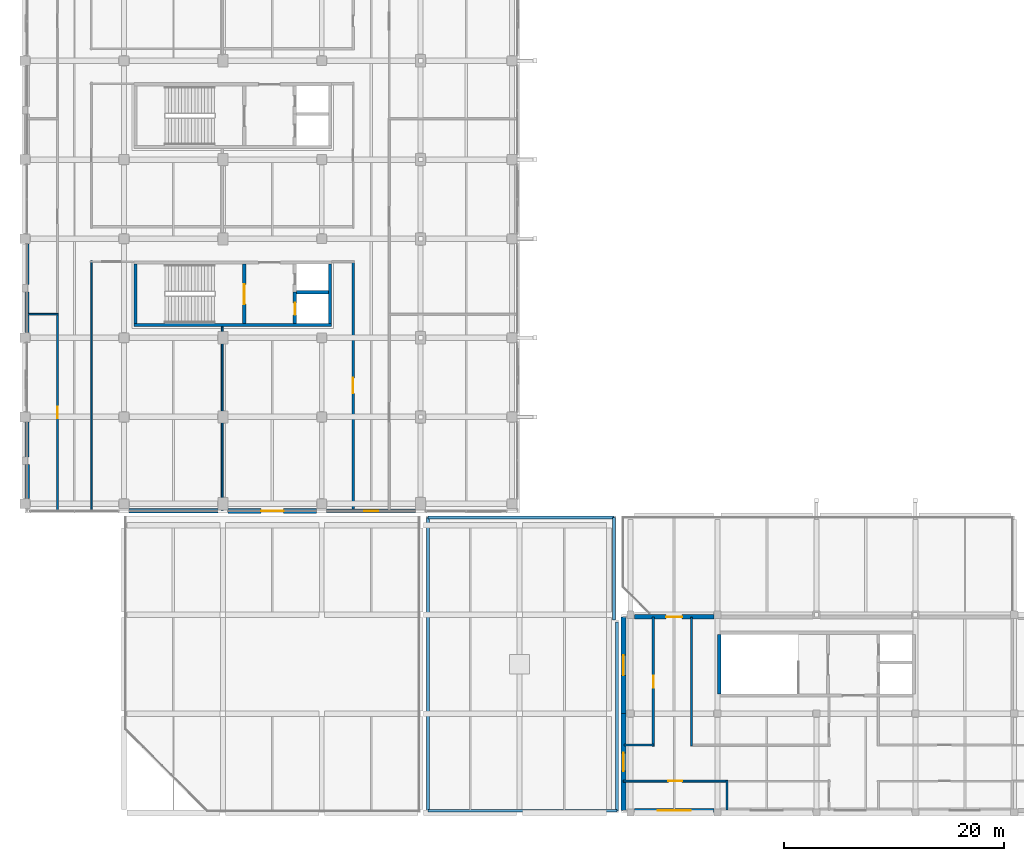
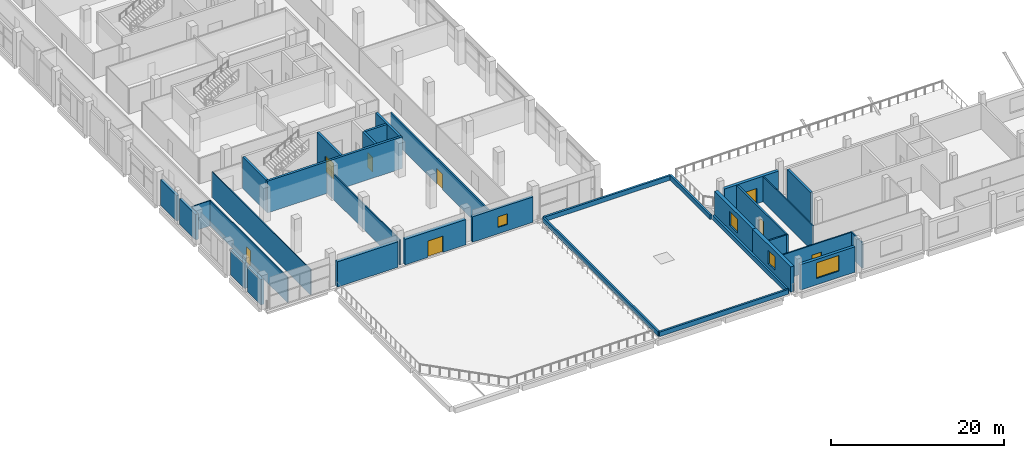
# One storey, part 46 of 82: 33 walls, 8 doors, 4 windows, 12 openings.
"""IFC4 building model written with IfcOpenShell, lengths in metres."""

import ifcopenshell
import ifcopenshell.guid

model = None  # the IFC model being written
_history = None  # IfcOwnerHistory: only IFC2X3 demands one
_inside = {}  # id of a spatial element -> (the spatial element, [elements in it])
_under = {}  # id of a project, library or spatial element -> (it, [spatial elements below it])
_declared = {}  # id of a project -> (the project, [libraries it declares])
_typed = {}  # id of a type object -> (the type object, [elements of that type])
_made_of = {}  # id of a material, layer set ... -> (it, [elements and type objects made of it])


def new_model(schema):
    """Start an empty IFC model of exactly this schema.

    Asked for "IFC4X3", IfcOpenShell would pick the latest addendum, in which some entities
    have other attributes; the version numbers below select the first issue.
    IFC2X3 requires an IfcOwnerHistory on every rooted entity: one is made here for all.
    """
    global model, _history
    if schema == "IFC4X3":
        model = ifcopenshell.file(schema_version=(4, 3, 0, 0))
    else:
        model = ifcopenshell.file(schema=schema)
    _inside.clear()
    _under.clear()
    _declared.clear()
    _typed.clear()
    _made_of.clear()
    _history = None
    if model.schema == "IFC2X3":
        org = make("IfcOrganization", Name="unknown")
        user = make(
            "IfcPersonAndOrganization",
            ThePerson=make("IfcPerson", FamilyName="unknown"),
            TheOrganization=org,
        )
        app = make(
            "IfcApplication",
            ApplicationDeveloper=org,
            Version="unknown",
            ApplicationFullName="unknown",
            ApplicationIdentifier="unknown",
        )
        _history = make(
            "IfcOwnerHistory",
            OwningUser=user,
            OwningApplication=app,
            ChangeAction="ADDED",
            CreationDate=0,
        )
    return model


def make(cls, **values):
    """One entity of the class cls with the attributes given. An attribute that is None is left unset."""
    return model.create_entity(
        cls, **{name: value for name, value in values.items() if value is not None}
    )


def rooted(cls, **values):
    """An entity with a GlobalId (a new one), such as an element, a storey or a relation."""
    return make(cls, GlobalId=ifcopenshell.guid.new(), OwnerHistory=_history, **values)


def si_unit(unit_type, name, prefix=None):
    """IfcSIUnit, for example si_unit("LENGTHUNIT", "METRE", prefix="MILLI")."""
    return make("IfcSIUnit", UnitType=unit_type, Prefix=prefix, Name=name)


def assignment(units):
    """IfcUnitAssignment: the units of a project."""
    return None if units is None else make("IfcUnitAssignment", Units=units)


def point(xyz):
    """IfcCartesianPoint."""
    return None if xyz is None else make("IfcCartesianPoint", Coordinates=xyz)


def direction(xyz):
    """IfcDirection."""
    return None if xyz is None else make("IfcDirection", DirectionRatios=xyz)


def frame(location, z_axis=None, x_axis=None):
    """IfcAxis2Placement3D, a coordinate frame: its origin and axes. An axis left out is left unset."""
    return make(
        "IfcAxis2Placement3D",
        Location=point(location),
        Axis=direction(z_axis),
        RefDirection=direction(x_axis),
    )


def frame_2d(location, x_axis=None):
    """IfcAxis2Placement2D, a coordinate frame in the plane: its origin and x axis."""
    return make(
        "IfcAxis2Placement2D", Location=point(location), RefDirection=direction(x_axis)
    )


def origin():
    """The frame at (0, 0, 0) with its axes left unset."""
    return frame((0.0, 0.0, 0.0))


def place(relative_to, where):
    """IfcLocalPlacement: puts the frame where relative to a parent placement (None: the world)."""
    return make(
        "IfcLocalPlacement", PlacementRelTo=relative_to, RelativePlacement=where
    )


def context(
    kind, dimensions, precision=None, world=None, true_north=None, identifier=None
):
    """IfcGeometricRepresentationContext, for example the 3D "Model" context."""
    return make(
        "IfcGeometricRepresentationContext",
        ContextIdentifier=identifier,
        ContextType=kind,
        CoordinateSpaceDimension=dimensions,
        Precision=precision,
        WorldCoordinateSystem=world,
        TrueNorth=true_north,
    )


def subcontext(parent, identifier, kind, view, scale=None):
    """IfcGeometricRepresentationSubContext, for example "Body" below "Model"."""
    return make(
        "IfcGeometricRepresentationSubContext",
        ContextIdentifier=identifier,
        ContextType=kind,
        ParentContext=parent,
        TargetScale=scale,
        TargetView=view,
    )


def project(units=None, contexts=None):
    """IfcProject with its units and contexts."""
    return rooted(
        "IfcProject",
        Name="project",
        RepresentationContexts=contexts,
        UnitsInContext=assignment(units),
    )


def spatial(cls, under=None, at=None, **own):
    """A site, building, storey or space (cls), placed at a placement, below another one or the project."""
    s = rooted(cls, ObjectPlacement=at, **own)
    if under is not None:
        _under.setdefault(under.id(), (under, []))[1].append(s)
    return s


def profile(cls, at=None, kind="AREA", **sizes):
    """A parametric profile (cls). Its sizes go by their IFC names, for example OverallWidth=200.0."""
    return make(cls, ProfileType=kind, Position=at, **sizes)


def rectangle(**sizes):
    """IfcRectangleProfileDef."""
    return profile("IfcRectangleProfileDef", **sizes)


def extrude(swept, where, along, depth):
    """IfcExtrudedAreaSolid: the profile swept, set in the frame where, extruded along a direction by depth."""
    return make(
        "IfcExtrudedAreaSolid",
        SweptArea=swept,
        Position=where,
        ExtrudedDirection=direction(along),
        Depth=depth,
    )


def shape(context_of_items, identifier, shape_type, items):
    """IfcShapeRepresentation: the items that make up one representation, for example the "Body"."""
    return make(
        "IfcShapeRepresentation",
        ContextOfItems=context_of_items,
        RepresentationIdentifier=identifier,
        RepresentationType=shape_type,
        Items=items,
    )


def material(Name=None, Category=None):
    """IfcMaterial."""
    return make("IfcMaterial", Name=Name, Category=Category)


def layer(
    of_material, thickness, ventilated=None, Name=None, Category=None, Priority=None
):
    """IfcMaterialLayer: one layer of a wall or slab, of a material (None: an air gap)."""
    return make(
        "IfcMaterialLayer",
        Material=of_material,
        LayerThickness=thickness,
        IsVentilated=ventilated,
        Name=Name,
        Category=Category,
        Priority=Priority,
    )


def layer_set(layers, Name=None):
    """IfcMaterialLayerSet."""
    return make("IfcMaterialLayerSet", MaterialLayers=layers, LayerSetName=Name)


def made_of(thing, what):
    """Note that an element or type object is made of a material, layer set ...; save() writes the relation."""
    if what is not None:
        _made_of.setdefault(what.id(), (what, []))[1].append(thing)
    return thing


def type_object(cls, material=None, **own):
    """A type object (cls), such as IfcWallType, which elements share."""
    return made_of(rooted(cls, **own), material)


def element(
    cls,
    number,
    at=None,
    inside=None,
    cuts=None,
    type_object=None,
    material=None,
    context=None,
    identifier="Body",
    shape_type=None,
    held_by="IfcProductDefinitionShape",
    body=None,
    shapes=None,
    **own,
):
    """One element of the class cls, such as IfcWall. Its Tag is "e" and its number.

    at: its placement. inside: the storey or other place that contains it. cuts: it is an
    opening in that element (IfcRelVoidsElement). A single representation is given by context,
    identifier, shape_type and body (its items); several are given by shapes. held_by: the class
    of the entity that holds the representations. save() writes the other relations.
    """
    e = rooted(cls, Tag="e%d" % number, ObjectPlacement=at, **own)
    if body is not None:
        shapes = [shape(context, identifier, shape_type, body)]
    if shapes is not None:
        e.Representation = make(held_by, Representations=shapes)
    if inside is not None:
        _inside.setdefault(inside.id(), (inside, []))[1].append(e)
    if cuts is not None:
        rooted(
            "IfcRelVoidsElement", RelatingBuildingElement=cuts, RelatedOpeningElement=e
        )
    if type_object is not None:
        _typed.setdefault(type_object.id(), (type_object, []))[1].append(e)
    return made_of(e, material)


def fill(opening, filler):
    """IfcRelFillsElement: the door or window that sits in an opening."""
    return rooted(
        "IfcRelFillsElement",
        RelatingOpeningElement=opening,
        RelatedBuildingElement=filler,
    )


def aggregate(whole, parts):
    """IfcRelAggregates: a whole, such as a stair, and the parts it consists of."""
    return rooted("IfcRelAggregates", RelatingObject=whole, RelatedObjects=parts)


def save(model, path):
    """Write the relations noted so far, then the file.

    IfcRelAggregates (storeys below a building ...), IfcRelContainedInSpatialStructure (elements
    in a storey), IfcRelDefinesByType, IfcRelAssociatesMaterial and IfcRelDeclares: one each for
    every whole, place, type object, material and project.
    """
    for whole, parts in _under.values():
        aggregate(whole, parts)
    for where, things in _inside.values():
        rooted(
            "IfcRelContainedInSpatialStructure",
            RelatedElements=things,
            RelatingStructure=where,
        )
    for kind, things in _typed.values():
        rooted("IfcRelDefinesByType", RelatedObjects=things, RelatingType=kind)
    for what, things in _made_of.values():
        rooted("IfcRelAssociatesMaterial", RelatedObjects=things, RelatingMaterial=what)
    for by, libraries in _declared.values():
        rooted("IfcRelDeclares", RelatingContext=by, RelatedDefinitions=libraries)
    model.write(path)


model = new_model("IFC4")

# Units and contexts
model_context = context("Model", 3, precision=1e-05, world=origin(), true_north=direction((0.0, 1.0)))
body_context = subcontext(model_context, "Body", "Model", "MODEL_VIEW")
ifc_project = project(units=[si_unit("LENGTHUNIT", "METRE"), si_unit("AREAUNIT", "SQUARE_METRE"), si_unit("VOLUMEUNIT", "CUBIC_METRE"), si_unit("PLANEANGLEUNIT", "RADIAN"), si_unit("MASSUNIT", "GRAM", prefix="KILO"), si_unit("THERMODYNAMICTEMPERATUREUNIT", "KELVIN"), si_unit("POWERUNIT", "WATT")], contexts=[model_context])

# Site, building, storey
site_placement = place(None, origin())
site = spatial("IfcSite", under=ifc_project, at=site_placement, CompositionType="ELEMENT")
building_placement = place(site_placement, origin())
building = spatial("IfcBuilding", under=site, at=building_placement, Name="Sindhuravela Promenade Stadium", CompositionType="ELEMENT")
storey_placement = place(building_placement, frame((0.0, 0.0, 14.39990234375)))
storey = spatial("IfcBuildingStorey", under=building, at=storey_placement, Name="L03", CompositionType="ELEMENT", Elevation=14.39990234375)

# Wall
ifc_material_1 = material(Name="Terracotta clay brick masonry (15 MPa)", Category="masonry")
ifc_layer_1 = layer(ifc_material_1, 0.340087890625)
ifc_layer_set_1 = layer_set([ifc_layer_1], Name="Terracotta clay brick masonry (15 MPa)")
wall_type_1 = type_object("IfcWallType", Name="EX-WL-BRK340", PredefinedType="SOLIDWALL", material=ifc_layer_set_1)
wall_1_placement = place(storey_placement, frame((0.199951171875, 57.054931640625, 0.0), z_axis=(0.0, 0.0, 1.0), x_axis=(0.0, 1.0, 0.0)))
element("IfcWall", 1, at=wall_1_placement, inside=storey, type_object=wall_type_1, Name="Exterior masonry wall EW06 WEST L03", PredefinedType="SOLIDWALL", context=body_context, shape_type="SweptSolid", body=[
    extrude(rectangle(XDim=3.690185546875, YDim=0.340087890625, at=frame_2d((1.84521484375, 0.0))), origin(), (0.0, 0.0, 1.0), 3.580078125),
])

# Wall, opening, window
wall_2_placement = place(storey_placement, frame((35.544921875, 36.449951171875, 0.0), z_axis=(0.0, 0.0, 1.0), x_axis=(-1.0, 0.0, 0.0)))
wall_2 = element("IfcWall", 2, at=wall_2_placement, inside=storey, type_object=wall_type_1, Name="Exterior masonry wall EW06 WEST L03", PredefinedType="SOLIDWALL", context=body_context, shape_type="SweptSolid", body=[
    extrude(rectangle(XDim=8.08984375, YDim=0.340087890625, at=frame_2d((4.044921875, 0.0))), origin(), (0.0, 0.0, 1.0), 3.580078125),
])
opening_1_placement = place(wall_2_placement, frame((3.39501953125, 0.0, 0.89990234375)))
opening_1 = element("IfcOpeningElement", 3, at=opening_1_placement, cuts=wall_2, Name="Opening W03", PredefinedType="OPENING", context=body_context, shape_type="SweptSolid", body=[
    extrude(rectangle(XDim=1.300048828125, YDim=1.5, at=frame_2d((0.64990234375, 0.75))), frame((0.0, 0.179931640625, 0.0), z_axis=(0.0, -1.0, 0.0), x_axis=(1.0, 0.0, 0.0)), (0.0, 0.0, 1.0), 0.360107421875),
])
ifc_material_2 = material(Name="Tempered laminated low-E glass", Category="glass")
window_type_1 = type_object("IfcWindowType", Name="WN-FAC-1300x1500", PartitioningType="SINGLE_PANEL", PredefinedType="WINDOW", material=ifc_material_2)
window_1_placement = place(opening_1_placement, origin())
window_1 = element("IfcWindow", 4, at=window_1_placement, inside=storey, type_object=window_type_1, Name="Window W03 WEST L03", OverallHeight=1.5, OverallWidth=1.300048828125, PartitioningType="SINGLE_PANEL", PredefinedType="WINDOW", context=body_context, shape_type="SweptSolid", body=[
    extrude(rectangle(XDim=1.300048828125, YDim=1.5, at=frame_2d((0.64990234375, 0.75))), frame((0.0, 0.030029296875, 0.0), z_axis=(0.0, -1.0, 0.0), x_axis=(1.0, 0.0, 0.0)), (0.0, 0.0, 1.0), 0.06005859375),
])
fill(opening_1, window_1)

# Walls
ifc_layer_2 = layer(ifc_material_1, 0.360107421875)
ifc_layer_set_2 = layer_set([ifc_layer_2], Name="Terracotta clay brick masonry (15 MPa)")
wall_type_2 = type_object("IfcWallType", Name="EX-WL-BRK360", PredefinedType="SOLIDWALL", material=ifc_layer_set_2)
wall_3_placement = place(storey_placement, frame((0.199951171875, 52.655029296875, 0.0), z_axis=(0.0, 0.0, 1.0), x_axis=(0.0, 1.0, 0.0)))
element("IfcWall", 5, at=wall_3_placement, inside=storey, type_object=wall_type_2, Name="Exterior masonry wall EW05 WEST L03", PredefinedType="SOLIDWALL", context=body_context, shape_type="SweptSolid", body=[
    extrude(rectangle(XDim=3.68994140625, YDim=0.360107421875, at=frame_2d((1.844970703125, 0.0))), origin(), (0.0, 0.0, 1.0), 3.580078125),
])
ifc_layer_3 = layer(ifc_material_1, 0.3798828125)
ifc_layer_set_3 = layer_set([ifc_layer_3], Name="Terracotta clay brick masonry (15 MPa)")
wall_type_3 = type_object("IfcWallType", Name="EX-WL-BRK380", PredefinedType="SOLIDWALL", material=ifc_layer_set_3)
wall_4_placement = place(storey_placement, frame((0.199951171875, 41.35498046875, 0.0), z_axis=(0.0, 0.0, 1.0), x_axis=(0.0, 1.0, 0.0)))
element("IfcWall", 6, at=wall_4_placement, inside=storey, type_object=wall_type_3, Name="Exterior masonry wall EW04 WEST L03", PredefinedType="SOLIDWALL", context=body_context, shape_type="SweptSolid", body=[
    extrude(rectangle(XDim=3.18994140625, YDim=0.3798828125, at=frame_2d((1.594970703125, 0.0))), origin(), (0.0, 0.0, 1.0), 3.580078125),
])

# Wall, opening, window
wall_5_placement = place(storey_placement, frame((62.669921875, 9.199951171875, 0.0), z_axis=(0.0, 0.0, 1.0), x_axis=(-1.0, 0.0, 0.0)))
wall_5 = element("IfcWall", 7, at=wall_5_placement, inside=storey, type_object=wall_type_3, Name="Exterior masonry wall EW04 SOUTH L03", PredefinedType="SOLIDWALL", context=body_context, shape_type="SweptSolid", body=[
    extrude(rectangle(XDim=7.239990234375, YDim=0.3798828125, at=frame_2d((3.6201171875, 0.0))), origin(), (0.0, 0.0, 1.0), 3.580078125),
])
opening_2_placement = place(wall_5_placement, frame((2.1201171875, 0.0, 0.89990234375)))
opening_2 = element("IfcOpeningElement", 8, at=opening_2_placement, cuts=wall_5, Name="Opening W20", PredefinedType="OPENING", context=body_context, shape_type="SweptSolid", body=[
    extrude(rectangle(XDim=3.0, YDim=2.199951171875, at=frame_2d((1.5, 1.10009765625))), frame((0.0, 0.199951171875, 0.0), z_axis=(0.0, -1.0, 0.0), x_axis=(1.0, 0.0, 0.0)), (0.0, 0.0, 1.0), 0.39990234375),
])
window_type_2 = type_object("IfcWindowType", Name="WN-FAC-3000x2200", PartitioningType="DOUBLE_PANEL_VERTICAL", PredefinedType="WINDOW", material=ifc_material_2)
window_2_placement = place(opening_2_placement, origin())
window_2 = element("IfcWindow", 9, at=window_2_placement, inside=storey, type_object=window_type_2, Name="Window W20 SOUTH L03", OverallHeight=2.199951171875, OverallWidth=3.0, PartitioningType="DOUBLE_PANEL_VERTICAL", PredefinedType="WINDOW", context=body_context, shape_type="SweptSolid", body=[
    extrude(rectangle(XDim=3.0, YDim=2.199951171875, at=frame_2d((1.5, 1.10009765625))), frame((0.0, 0.030029296875, 0.0), z_axis=(0.0, -1.0, 0.0), x_axis=(1.0, 0.0, 0.0)), (0.0, 0.0, 1.0), 0.06005859375),
])
fill(opening_2, window_2)

# Wall
ifc_layer_4 = layer(ifc_material_1, 0.39990234375)
ifc_layer_set_4 = layer_set([ifc_layer_4], Name="Terracotta clay brick masonry (15 MPa)")
wall_type_4 = type_object("IfcWallType", Name="EX-WL-BRK400", PredefinedType="SOLIDWALL", material=ifc_layer_set_4)
wall_6_placement = place(storey_placement, frame((0.199951171875, 37.554931640625, 0.0), z_axis=(0.0, 0.0, 1.0), x_axis=(0.0, 1.0, 0.0)))
element("IfcWall", 10, at=wall_6_placement, inside=storey, type_object=wall_type_4, Name="Exterior masonry wall EW03 WEST L03", PredefinedType="SOLIDWALL", context=body_context, shape_type="SweptSolid", body=[
    extrude(rectangle(XDim=3.090087890625, YDim=0.39990234375, at=frame_2d((1.544921875, 0.0))), origin(), (0.0, 0.0, 1.0), 3.580078125),
])

# Wall, opening, door
wall_7_placement = place(storey_placement, frame((55.429931640625, 26.800048828125, 0.0), z_axis=(0.0, 0.0, 1.0), x_axis=(1.0, 0.0, 0.0)))
wall_7 = element("IfcWall", 11, at=wall_7_placement, inside=storey, type_object=wall_type_4, Name="Exterior masonry wall EW03 SOUTH L03", PredefinedType="SOLIDWALL", context=body_context, shape_type="SweptSolid", body=[
    extrude(rectangle(XDim=7.239990234375, YDim=0.39990234375, at=frame_2d((3.6201171875, 0.0))), origin(), (0.0, 0.0, 1.0), 3.580078125),
])
opening_3_placement = place(wall_7_placement, frame((2.89501953125, 0.0, 0.0)))
opening_3 = element("IfcOpeningElement", 12, at=opening_3_placement, cuts=wall_7, Name="Opening TD04", PredefinedType="OPENING", context=body_context, shape_type="SweptSolid", body=[
    extrude(rectangle(XDim=1.449951171875, YDim=2.14990234375, at=frame_2d((0.72509765625, 1.074951171875))), frame((0.0, 0.2099609375, 0.0), z_axis=(0.0, -1.0, 0.0), x_axis=(1.0, 0.0, 0.0)), (0.0, 0.0, 1.0), 0.419921875),
])
ifc_material_3 = material(Name="Anodised architectural aluminium 6063-T6", Category="aluminium")
door_type_1 = type_object("IfcDoorType", Name="DR-TER-1450x2150", OperationType="DOUBLE_DOOR_SINGLE_SWING", PredefinedType="DOOR", material=ifc_material_3)
door_1_placement = place(opening_3_placement, origin())
door_1 = element("IfcDoor", 13, at=door_1_placement, inside=storey, type_object=door_type_1, Name="Terrace access door South Stand Planted Roof Garden", OperationType="DOUBLE_DOOR_SINGLE_SWING", OverallHeight=2.14990234375, OverallWidth=1.449951171875, PredefinedType="DOOR", context=body_context, shape_type="SweptSolid", body=[
    extrude(rectangle(XDim=1.449951171875, YDim=2.14990234375, at=frame_2d((0.72509765625, 1.074951171875))), frame((0.0, 0.02490234375, 0.0), z_axis=(0.0, -1.0, 0.0), x_axis=(1.0, 0.0, 0.0)), (0.0, 0.0, 1.0), 0.050048828125),
])
fill(opening_3, door_1)

# Wall
ifc_layer_5 = layer(ifc_material_1, 0.419921875)
ifc_layer_set_5 = layer_set([ifc_layer_5], Name="Terracotta clay brick masonry (15 MPa)")
wall_type_5 = type_object("IfcWallType", Name="EX-WL-BRK420", PredefinedType="SOLIDWALL", material=ifc_layer_set_5)
wall_8_placement = place(storey_placement, frame((17.544921875, 36.449951171875, 0.0), z_axis=(0.0, 0.0, 1.0), x_axis=(-1.0, 0.0, 0.0)))
element("IfcWall", 14, at=wall_8_placement, inside=storey, type_object=wall_type_5, Name="Exterior masonry wall EW02 WEST L03", PredefinedType="SOLIDWALL", context=body_context, shape_type="SweptSolid", body=[
    extrude(rectangle(XDim=8.08984375, YDim=0.419921875, at=frame_2d((4.044921875, 0.0))), origin(), (0.0, 0.0, 1.0), 3.580078125),
])

# Wall, opening, window
wall_9_placement = place(storey_placement, frame((54.449951171875, 18.0, 0.0), z_axis=(0.0, 0.0, 1.0), x_axis=(0.0, 1.0, 0.0)))
wall_9 = element("IfcWall", 15, at=wall_9_placement, inside=storey, type_object=wall_type_5, Name="Exterior masonry wall EW02 SOUTH L03", PredefinedType="SOLIDWALL", context=body_context, shape_type="SweptSolid", body=[
    extrude(rectangle(XDim=8.800048828125, YDim=0.419921875, at=frame_2d((4.39990234375, 0.0))), origin(), (0.0, 0.0, 1.0), 3.580078125),
])
opening_4_placement = place(wall_9_placement, frame((3.47509765625, 0.0, 0.89990234375)))
opening_4 = element("IfcOpeningElement", 16, at=opening_4_placement, cuts=wall_9, Name="Opening W28", PredefinedType="OPENING", context=body_context, shape_type="SweptSolid", body=[
    extrude(rectangle(XDim=1.85009765625, YDim=1.949951171875, at=frame_2d((0.925048828125, 0.97509765625))), frame((0.0, 0.219970703125, 0.0), z_axis=(0.0, -1.0, 0.0), x_axis=(1.0, 0.0, 0.0)), (0.0, 0.0, 1.0), 0.43994140625),
])
window_type_3 = type_object("IfcWindowType", Name="WN-FAC-1850x1950", PartitioningType="DOUBLE_PANEL_VERTICAL", PredefinedType="WINDOW", material=ifc_material_2)
window_3_placement = place(opening_4_placement, origin())
window_3 = element("IfcWindow", 17, at=window_3_placement, inside=storey, type_object=window_type_3, Name="Window W28 SOUTH L03", OverallHeight=1.949951171875, OverallWidth=1.85009765625, PartitioningType="DOUBLE_PANEL_VERTICAL", PredefinedType="WINDOW", context=body_context, shape_type="SweptSolid", body=[
    extrude(rectangle(XDim=1.85009765625, YDim=1.949951171875, at=frame_2d((0.925048828125, 0.97509765625))), frame((0.0, 0.030029296875, 0.0), z_axis=(0.0, -1.0, 0.0), x_axis=(1.0, 0.0, 0.0)), (0.0, 0.0, 1.0), 0.06005859375),
])
fill(opening_4, window_3)

# Wall, opening, door
ifc_layer_6 = layer(ifc_material_1, 0.4599609375)
ifc_layer_set_6 = layer_set([ifc_layer_6], Name="Terracotta clay brick masonry (15 MPa)")
wall_type_6 = type_object("IfcWallType", Name="EX-WL-BRK460", PredefinedType="SOLIDWALL", material=ifc_layer_set_6)
wall_10_placement = place(storey_placement, frame((26.544921875, 36.449951171875, 0.0), z_axis=(0.0, 0.0, 1.0), x_axis=(-1.0, 0.0, 0.0)))
wall_10 = element("IfcWall", 18, at=wall_10_placement, inside=storey, type_object=wall_type_6, Name="Exterior masonry wall EW01 WEST L03", PredefinedType="SOLIDWALL", context=body_context, shape_type="SweptSolid", body=[
    extrude(rectangle(XDim=8.08984375, YDim=0.4599609375, at=frame_2d((4.044921875, 0.0))), origin(), (0.0, 0.0, 1.0), 3.580078125),
])
opening_5_placement = place(wall_10_placement, frame((3.02001953125, 0.0, 0.0)))
opening_5 = element("IfcOpeningElement", 19, at=opening_5_placement, cuts=wall_10, Name="Opening TD01", PredefinedType="OPENING", context=body_context, shape_type="SweptSolid", body=[
    extrude(rectangle(XDim=2.050048828125, YDim=2.300048828125, at=frame_2d((1.02490234375, 1.14990234375))), frame((0.0, 0.239990234375, 0.0), z_axis=(0.0, -1.0, 0.0), x_axis=(1.0, 0.0, 0.0)), (0.0, 0.0, 1.0), 0.47998046875),
])
door_type_2 = type_object("IfcDoorType", Name="DR-TER-2050x2300", OperationType="DOUBLE_DOOR_SINGLE_SWING", PredefinedType="DOOR", material=ifc_material_3)
door_2_placement = place(opening_5_placement, origin())
door_2 = element("IfcDoor", 20, at=door_2_placement, inside=storey, type_object=door_type_2, Name="Terrace access door SW Gate Pavilion Planted Roof Garden", OperationType="DOUBLE_DOOR_SINGLE_SWING", OverallHeight=2.300048828125, OverallWidth=2.050048828125, PredefinedType="DOOR", context=body_context, shape_type="SweptSolid", body=[
    extrude(rectangle(XDim=2.050048828125, YDim=2.300048828125, at=frame_2d((1.02490234375, 1.14990234375))), frame((0.0, 0.02490234375, 0.0), z_axis=(0.0, -1.0, 0.0), x_axis=(1.0, 0.0, 0.0)), (0.0, 0.0, 1.0), 0.050048828125),
])
fill(opening_5, door_2)

# Wall, opening, window
wall_11_placement = place(storey_placement, frame((54.449951171875, 9.199951171875, 0.0), z_axis=(0.0, 0.0, 1.0), x_axis=(0.0, 1.0, 0.0)))
wall_11 = element("IfcWall", 21, at=wall_11_placement, inside=storey, type_object=wall_type_6, Name="Exterior masonry wall EW01 SOUTH L03", PredefinedType="SOLIDWALL", context=body_context, shape_type="SweptSolid", body=[
    extrude(rectangle(XDim=8.800048828125, YDim=0.4599609375, at=frame_2d((4.39990234375, 0.0))), origin(), (0.0, 0.0, 1.0), 3.580078125),
])
opening_6_placement = place(wall_11_placement, frame((3.574951171875, 0.0, 0.89990234375)))
opening_6 = element("IfcOpeningElement", 22, at=opening_6_placement, cuts=wall_11, Name="Opening W27", PredefinedType="OPENING", context=body_context, shape_type="SweptSolid", body=[
    extrude(rectangle(XDim=1.64990234375, YDim=1.89990234375, at=frame_2d((0.824951171875, 0.949951171875))), frame((0.0, 0.239990234375, 0.0), z_axis=(0.0, -1.0, 0.0), x_axis=(1.0, 0.0, 0.0)), (0.0, 0.0, 1.0), 0.47998046875),
])
window_type_4 = type_object("IfcWindowType", Name="WN-FAC-1650x1900", PartitioningType="SINGLE_PANEL", PredefinedType="WINDOW", material=ifc_material_2)
window_4_placement = place(opening_6_placement, origin())
window_4 = element("IfcWindow", 23, at=window_4_placement, inside=storey, type_object=window_type_4, Name="Window W27 SOUTH L03", OverallHeight=1.89990234375, OverallWidth=1.64990234375, PartitioningType="SINGLE_PANEL", PredefinedType="WINDOW", context=body_context, shape_type="SweptSolid", body=[
    extrude(rectangle(XDim=1.64990234375, YDim=1.89990234375, at=frame_2d((0.824951171875, 0.949951171875))), frame((0.0, 0.030029296875, 0.0), z_axis=(0.0, -1.0, 0.0), x_axis=(1.0, 0.0, 0.0)), (0.0, 0.0, 1.0), 0.06005859375),
])
fill(opening_6, window_4)

# Walls
ifc_material_4 = material(Name="Dholpur sandstone ashlar (45 MPa)", Category="masonry")
ifc_layer_7 = layer(ifc_material_4, 0.25)
ifc_layer_set_7 = layer_set([ifc_layer_7], Name="Dholpur sandstone ashlar (45 MPa)")
wall_type_7 = type_object("IfcWallType", Name="EX-WL-PAR250", PredefinedType="PARAPET", material=ifc_layer_set_7)
wall_12_placement = place(storey_placement, frame((36.659912109375, 9.159912109375, 0.0), z_axis=(0.0, 0.0, 1.0), x_axis=(0.0, 1.0, 0.0)))
element("IfcWall", 24, at=wall_12_placement, inside=storey, type_object=wall_type_7, Name="Maintenance roof parapet Pavilion SW 17", PredefinedType="PARAPET", context=body_context, shape_type="SweptSolid", body=[
    extrude(rectangle(XDim=26.68017578125, YDim=0.25, at=frame_2d((13.340087890625, 0.0))), origin(), (0.0, 0.0, 1.0), 0.650146484375),
])
wall_13_placement = place(storey_placement, frame((53.590087890625, 35.840087890625, 0.0), z_axis=(0.0, 0.0, 1.0), x_axis=(0.0, -1.0, 0.0)))
element("IfcWall", 25, at=wall_13_placement, inside=storey, type_object=wall_type_7, Name="Maintenance roof parapet Pavilion SW 19", PredefinedType="PARAPET", context=body_context, shape_type="SweptSolid", body=[
    extrude(rectangle(XDim=9.340087890625, YDim=0.25, at=frame_2d((4.669921875, 0.0))), origin(), (0.0, 0.0, 1.0), 0.650146484375),
])
wall_14_placement = place(storey_placement, frame((53.840087890625, 9.159912109375, 0.0), z_axis=(0.0, 0.0, 1.0), x_axis=(-1.0, 0.0, 0.0)))
element("IfcWall", 26, at=wall_14_placement, inside=storey, type_object=wall_type_7, Name="Maintenance roof parapet Pavilion SW 21", PredefinedType="PARAPET", context=body_context, shape_type="SweptSolid", body=[
    extrude(rectangle(XDim=17.18017578125, YDim=0.25, at=frame_2d((8.590087890625, 0.0))), origin(), (0.0, 0.0, 1.0), 0.650146484375),
])
ifc_layer_8 = layer(ifc_material_1, 0.27001953125)
ifc_layer_set_8 = layer_set([ifc_layer_8], Name="Terracotta clay brick masonry (15 MPa)")
wall_type_8 = type_object("IfcWallType", Name="EX-WL-PAR270", PredefinedType="PARAPET", material=ifc_layer_set_8)
wall_15_placement = place(storey_placement, frame((36.659912109375, 35.840087890625, 0.0), z_axis=(0.0, 0.0, 1.0), x_axis=(1.0, 0.0, 0.0)))
element("IfcWall", 27, at=wall_15_placement, inside=storey, type_object=wall_type_8, Name="Maintenance roof parapet Pavilion SW 18", PredefinedType="PARAPET", context=body_context, shape_type="SweptSolid", body=[
    extrude(rectangle(XDim=16.93017578125, YDim=0.27001953125, at=frame_2d((8.465087890625, 0.0))), origin(), (0.0, 0.0, 1.0), 0.650146484375),
])
wall_16_placement = place(storey_placement, frame((53.840087890625, 26.340087890625, 0.0), z_axis=(0.0, 0.0, 1.0), x_axis=(0.0, -1.0, 0.0)))
element("IfcWall", 28, at=wall_16_placement, inside=storey, type_object=wall_type_8, Name="Maintenance roof parapet Pavilion SW 20", PredefinedType="PARAPET", context=body_context, shape_type="SweptSolid", body=[
    extrude(rectangle(XDim=17.18017578125, YDim=0.27001953125, at=frame_2d((8.590087890625, 0.0))), origin(), (0.0, 0.0, 1.0), 0.650146484375),
])
ifc_material_5 = material(Name="Fire-rated gypsum partition board", Category="gypsum")
ifc_layer_9 = layer(ifc_material_5, 0.1298828125)
ifc_layer_set_9 = layer_set([ifc_layer_9], Name="Fire-rated gypsum partition board")
wall_type_9 = type_object("IfcWallType", Name="IN-WL-PAR130", PredefinedType="PARTITIONING", material=ifc_layer_set_9)
wall_17_placement = place(storey_placement, frame((6.0400390625, 36.48291015625, 0.0), z_axis=(0.0, 0.0, 1.0), x_axis=(0.0, 1.0, 0.0)))
element("IfcWall", 29, at=wall_17_placement, inside=storey, type_object=wall_type_9, Name="Interior partition IW05 WEST L03", PredefinedType="PARTITIONING", context=body_context, shape_type="SweptSolid", body=[
    extrude(rectangle(XDim=22.70703125, YDim=0.1298828125, at=frame_2d((11.353515625, 0.0))), origin(), (0.0, 0.0, 1.0), 3.56005859375),
])
wall_18_placement = place(storey_placement, frame((0.239990234375, 54.342041015625, 0.0), z_axis=(0.0, 0.0, 1.0), x_axis=(1.0, 0.0, 0.0)))
element("IfcWall", 30, at=wall_18_placement, inside=storey, type_object=wall_type_9, Name="Interior partition IW05 WEST L03", PredefinedType="PARTITIONING", context=body_context, shape_type="SweptSolid", body=[
    extrude(rectangle(XDim=2.800048828125, YDim=0.1298828125, at=frame_2d((1.39990234375, 0.0))), origin(), (0.0, 0.0, 1.0), 3.56005859375),
])
ifc_layer_10 = layer(ifc_material_5, 0.14990234375)
ifc_layer_set_10 = layer_set([ifc_layer_10], Name="Fire-rated gypsum partition board")
wall_type_10 = type_object("IfcWallType", Name="IN-WL-PAR150", PredefinedType="PARTITIONING", material=ifc_layer_set_10)
wall_19_placement = place(storey_placement, frame((17.949951171875, 53.197998046875, 0.0), z_axis=(0.0, 0.0, 1.0), x_axis=(0.0, -1.0, 0.0)))
element("IfcWall", 31, at=wall_19_placement, inside=storey, type_object=wall_type_10, Name="Interior partition IW04 WEST L03", PredefinedType="PARTITIONING", context=body_context, shape_type="SweptSolid", body=[
    extrude(rectangle(XDim=16.7080078125, YDim=0.14990234375, at=frame_2d((8.35400390625, 0.0))), origin(), (0.0, 0.0, 1.0), 3.56005859375),
])

# Wall, opening, door
wall_20_placement = place(storey_placement, frame((2.9599609375, 36.449951171875, 0.0), z_axis=(0.0, 0.0, 1.0), x_axis=(0.0, 1.0, 0.0)))
wall_20 = element("IfcWall", 32, at=wall_20_placement, inside=storey, type_object=wall_type_10, Name="Corridor partition IW04 Accessible WC West L03 8", PredefinedType="PARTITIONING", context=body_context, shape_type="SweptSolid", body=[
    extrude(rectangle(XDim=17.89208984375, YDim=0.14990234375, at=frame_2d((8.946044921875, 0.0))), origin(), (0.0, 0.0, 1.0), 3.56005859375),
])
opening_7_placement = place(wall_20_placement, frame((8.43603515625, 0.0, 0.0)))
opening_7 = element("IfcOpeningElement", 33, at=opening_7_placement, cuts=wall_20, Name="Opening ID11", PredefinedType="OPENING", context=body_context, shape_type="SweptSolid", body=[
    extrude(rectangle(XDim=1.02001953125, YDim=2.159912109375, at=frame_2d((0.510009765625, 1.080078125))), frame((0.0, 0.0849609375, 0.0), z_axis=(0.0, -1.0, 0.0), x_axis=(1.0, 0.0, 0.0)), (0.0, 0.0, 1.0), 0.169921875),
])
ifc_material_6 = material(Name="Architectural teak timber leaf", Category="wood")
door_type_3 = type_object("IfcDoorType", Name="DR-INT-1020x2160", OperationType="NOTDEFINED", PredefinedType="DOOR", material=ifc_material_6)
door_3_placement = place(opening_7_placement, origin())
door_3 = element("IfcDoor", 34, at=door_3_placement, inside=storey, type_object=door_type_3, Name="Accessible WC West L03 8 door", OperationType="SINGLE_SWING_LEFT", OverallHeight=2.159912109375, OverallWidth=1.02001953125, PredefinedType="DOOR", context=body_context, shape_type="SweptSolid", body=[
    extrude(rectangle(XDim=1.02001953125, YDim=2.159912109375, at=frame_2d((0.510009765625, 1.080078125))), frame((0.0, 0.02490234375, 0.0), z_axis=(0.0, -1.0, 0.0), x_axis=(1.0, 0.0, 0.0)), (0.0, 0.0, 1.0), 0.050048828125),
])
fill(opening_7, door_3)

# Walls
wall_21_placement = place(storey_placement, frame((60.639892578125, 15.06005859375, 0.0), z_axis=(0.0, 0.0, 1.0), x_axis=(0.0, 1.0, 0.0)))
element("IfcWall", 35, at=wall_21_placement, inside=storey, type_object=wall_type_10, Name="Interior partition IW04 SOUTH L03", PredefinedType="PARTITIONING", context=body_context, shape_type="SweptSolid", body=[
    extrude(rectangle(XDim=11.699951171875, YDim=0.14990234375, at=frame_2d((5.85009765625, 0.0))), origin(), (0.0, 0.0, 1.0), 3.56005859375),
])
wall_22_placement = place(storey_placement, frame((63.864990234375, 11.93994140625, 0.0), z_axis=(0.0, 0.0, 1.0), x_axis=(0.0, -1.0, 0.0)))
element("IfcWall", 36, at=wall_22_placement, inside=storey, type_object=wall_type_10, Name="Interior partition IW04 SOUTH L03", PredefinedType="PARTITIONING", context=body_context, shape_type="SweptSolid", body=[
    extrude(rectangle(XDim=2.699951171875, YDim=0.14990234375, at=frame_2d((1.35009765625, 0.0))), origin(), (0.0, 0.0, 1.0), 3.56005859375),
])

# Wall, opening, door
ifc_layer_11 = layer(ifc_material_5, 0.175048828125)
ifc_layer_set_11 = layer_set([ifc_layer_11], Name="Fire-rated gypsum partition board")
wall_type_11 = type_object("IfcWallType", Name="IN-WL-PAR175", PredefinedType="PARTITIONING", material=ifc_layer_set_11)
wall_23_placement = place(storey_placement, frame((63.864990234375, 11.860107421875, 0.0), z_axis=(0.0, 0.0, 1.0), x_axis=(-1.0, 0.0, 0.0)))
wall_23 = element("IfcWall", 37, at=wall_23_placement, inside=storey, type_object=wall_type_11, Name="Corridor partition IW03 Public Toilet Block South L03 11", PredefinedType="PARTITIONING", context=body_context, shape_type="SweptSolid", body=[
    extrude(rectangle(XDim=9.4150390625, YDim=0.175048828125, at=frame_2d((4.70751953125, 0.0))), origin(), (0.0, 0.0, 1.0), 3.56005859375),
])
opening_8_placement = place(wall_23_placement, frame((4.08251953125, 0.0, 0.0)))
opening_8 = element("IfcOpeningElement", 38, at=opening_8_placement, cuts=wall_23, Name="Opening ID04", PredefinedType="OPENING", context=body_context, shape_type="SweptSolid", body=[
    extrude(rectangle(XDim=1.25, YDim=2.14990234375, at=frame_2d((0.625, 1.074951171875))), frame((0.0, 0.097412109375, 0.0), z_axis=(0.0, -1.0, 0.0), x_axis=(1.0, 0.0, 0.0)), (0.0, 0.0, 1.0), 0.195068359375),
])
door_type_4 = type_object("IfcDoorType", Name="DR-INT-1250x2150", OperationType="NOTDEFINED", PredefinedType="DOOR", material=ifc_material_6)
door_4_placement = place(opening_8_placement, origin())
door_4 = element("IfcDoor", 39, at=door_4_placement, inside=storey, type_object=door_type_4, Name="Public Toilet Block South L03 11 door", OperationType="SINGLE_SWING_RIGHT", OverallHeight=2.14990234375, OverallWidth=1.25, PredefinedType="DOOR", context=body_context, shape_type="SweptSolid", body=[
    extrude(rectangle(XDim=1.25, YDim=2.14990234375, at=frame_2d((0.625, 1.074951171875))), frame((0.0, 0.02490234375, 0.0), z_axis=(0.0, -1.0, 0.0), x_axis=(1.0, 0.0, 0.0)), (0.0, 0.0, 1.0), 0.050048828125),
])
fill(opening_8, door_4)

ifc_layer_12 = layer(ifc_material_5, 0.195068359375)
ifc_layer_set_12 = layer_set([ifc_layer_12], Name="Fire-rated gypsum partition board")
wall_type_12 = type_object("IfcWallType", Name="IN-WL-PAR195", PredefinedType="PARTITIONING", material=ifc_layer_set_12)
wall_24_placement = place(storey_placement, frame((29.860107421875, 36.449951171875, 0.0), z_axis=(0.0, 0.0, 1.0), x_axis=(0.0, 1.0, 0.0)))
wall_24 = element("IfcWall", 40, at=wall_24_placement, inside=storey, type_object=wall_type_12, Name="Corridor partition IW02 Executive Hospitality Suite W02", PredefinedType="PARTITIONING", context=body_context, shape_type="SweptSolid", body=[
    extrude(rectangle(XDim=22.780029296875, YDim=0.195068359375, at=frame_2d((11.39013671875, 0.0))), origin(), (0.0, 0.0, 1.0), 3.56005859375),
])
opening_9_placement = place(wall_24_placement, frame((10.68994140625, 0.0, 0.0)))
opening_9 = element("IfcOpeningElement", 41, at=opening_9_placement, cuts=wall_24, Name="Opening ID03", PredefinedType="OPENING", context=body_context, shape_type="SweptSolid", body=[
    extrude(rectangle(XDim=1.39990234375, YDim=2.14990234375, at=frame_2d((0.699951171875, 1.074951171875))), frame((0.0, 0.107421875, 0.0), z_axis=(0.0, -1.0, 0.0), x_axis=(1.0, 0.0, 0.0)), (0.0, 0.0, 1.0), 0.215087890625),
])
door_type_5 = type_object("IfcDoorType", Name="DR-INT-1400x2150", OperationType="DOUBLE_DOOR_SINGLE_SWING", PredefinedType="DOOR", material=ifc_material_6)
door_5_placement = place(opening_9_placement, origin())
door_5 = element("IfcDoor", 42, at=door_5_placement, inside=storey, type_object=door_type_5, Name="Executive Hospitality Suite W02 door", OperationType="DOUBLE_DOOR_SINGLE_SWING", OverallHeight=2.14990234375, OverallWidth=1.39990234375, PredefinedType="DOOR", context=body_context, shape_type="SweptSolid", body=[
    extrude(rectangle(XDim=1.39990234375, YDim=2.14990234375, at=frame_2d((0.699951171875, 1.074951171875))), frame((0.0, 0.02490234375, 0.0), z_axis=(0.0, -1.0, 0.0), x_axis=(1.0, 0.0, 0.0)), (0.0, 0.0, 1.0), 0.050048828125),
])
fill(opening_9, door_5)

# Wall
wall_25_placement = place(storey_placement, frame((57.239990234375, 15.139892578125, 0.0), z_axis=(0.0, 0.0, 1.0), x_axis=(-1.0, 0.0, 0.0)))
element("IfcWall", 43, at=wall_25_placement, inside=storey, type_object=wall_type_12, Name="Interior partition IW02 SOUTH L03", PredefinedType="PARTITIONING", context=body_context, shape_type="SweptSolid", body=[
    extrude(rectangle(XDim=2.75, YDim=0.195068359375, at=frame_2d((1.375, 0.0))), origin(), (0.0, 0.0, 1.0), 3.56005859375),
])

# Wall, opening, door
ifc_layer_13 = layer(ifc_material_5, 0.219970703125)
ifc_layer_set_13 = layer_set([ifc_layer_13], Name="Fire-rated gypsum partition board")
wall_type_13 = type_object("IfcWallType", Name="IN-WL-PAR220", PredefinedType="PARTITIONING", material=ifc_layer_set_13)
wall_26_placement = place(storey_placement, frame((57.159912109375, 15.02001953125, 0.0), z_axis=(0.0, 0.0, 1.0), x_axis=(0.0, 1.0, 0.0)))
wall_26 = element("IfcWall", 44, at=wall_26_placement, inside=storey, type_object=wall_type_13, Name="Corridor partition IW01 Accessible WC South L03 10", PredefinedType="PARTITIONING", context=body_context, shape_type="SweptSolid", body=[
    extrude(rectangle(XDim=11.780029296875, YDim=0.219970703125, at=frame_2d((5.89013671875, 0.0))), origin(), (0.0, 0.0, 1.0), 3.56005859375),
])
opening_10_placement = place(wall_26_placement, frame((5.330078125, 0.0, 0.0)))
opening_10 = element("IfcOpeningElement", 45, at=opening_10_placement, cuts=wall_26, Name="Opening ID13", PredefinedType="OPENING", context=body_context, shape_type="SweptSolid", body=[
    extrude(rectangle(XDim=1.1201171875, YDim=2.219970703125, at=frame_2d((0.56005859375, 1.10986328125))), frame((0.0, 0.119873046875, 0.0), z_axis=(0.0, -1.0, 0.0), x_axis=(1.0, 0.0, 0.0)), (0.0, 0.0, 1.0), 0.239990234375),
])
door_type_6 = type_object("IfcDoorType", Name="DR-INT-1120x2220", OperationType="NOTDEFINED", PredefinedType="DOOR", material=ifc_material_6)
door_6_placement = place(opening_10_placement, origin())
door_6 = element("IfcDoor", 46, at=door_6_placement, inside=storey, type_object=door_type_6, Name="Accessible WC South L03 10 door", OperationType="SINGLE_SWING_LEFT", OverallHeight=2.219970703125, OverallWidth=1.1201171875, PredefinedType="DOOR", context=body_context, shape_type="SweptSolid", body=[
    extrude(rectangle(XDim=1.1201171875, YDim=2.219970703125, at=frame_2d((0.56005859375, 1.10986328125))), frame((0.0, 0.02490234375, 0.0), z_axis=(0.0, -1.0, 0.0), x_axis=(1.0, 0.0, 0.0)), (0.0, 0.0, 1.0), 0.050048828125),
])
fill(opening_10, door_6)

# Walls
ifc_material_7 = material(Name="Concrete M50", Category="concrete")
ifc_layer_14 = layer(ifc_material_7, 0.300048828125)
ifc_layer_set_14 = layer_set([ifc_layer_14], Name="Concrete M50")
wall_type_14 = type_object("IfcWallType", Name="RC-SW-300", PredefinedType="SHEAR", material=ifc_layer_set_14)
wall_27_placement = place(storey_placement, frame((9.89990234375, 53.35009765625, 0.0), z_axis=(0.0, 0.0, 1.0), x_axis=(1.0, 0.0, 0.0)))
element("IfcWall", 47, at=wall_27_placement, inside=storey, type_object=wall_type_14, Name="Core shear wall C01-S (L03)", PredefinedType="SHEAR", context=body_context, shape_type="SweptSolid", body=[
    extrude(rectangle(XDim=18.0, YDim=0.300048828125, at=frame_2d((9.0, 0.0))), origin(), (0.0, 0.0, 1.0), 4.47998046875),
])
for number, where, z_axis, x_axis, name in (
    (48, (10.050048828125, 58.89990234375, 0.0), (0.0, 0.0, 1.0), (0.0, -1.0, 0.0), "Core shear wall C01-W (L03)"),
    (49, (27.75, 53.5, 0.0), (0.0, 0.0, 1.0), (0.0, 1.0, 0.0), "Core shear wall C01-E (L03)"),
):
    element("IfcWall", number, at=place(storey_placement, frame(where, z_axis=z_axis, x_axis=x_axis)), inside=storey, type_object=wall_type_14, Name=name, PredefinedType="SHEAR", context=body_context, shape_type="SweptSolid", body=[
        extrude(rectangle(XDim=5.39990234375, YDim=0.300048828125, at=frame_2d((2.699951171875, 0.0))), origin(), (0.0, 0.0, 1.0), 4.47998046875),
    ])

# Wall, opening, door
wall_28_placement = place(storey_placement, frame((19.949951171875, 53.5, 0.0), z_axis=(0.0, 0.0, 1.0), x_axis=(0.0, 1.0, 0.0)))
wall_28 = element("IfcWall", 50, at=wall_28_placement, inside=storey, type_object=wall_type_14, Name="Core shear wall C01-ST (L03)", PredefinedType="SHEAR", context=body_context, shape_type="SweptSolid", body=[
    extrude(rectangle(XDim=5.39990234375, YDim=0.300048828125, at=frame_2d((2.699951171875, 0.0))), origin(), (0.0, 0.0, 1.0), 4.47998046875),
])
opening_11_placement = place(wall_28_placement, frame((1.75, 0.0, 0.0)))
opening_11 = element("IfcOpeningElement", 51, at=opening_11_placement, cuts=wall_28, Name="Opening FD01", PredefinedType="OPENING", context=body_context, shape_type="SweptSolid", body=[
    extrude(rectangle(XDim=1.800048828125, YDim=2.25, at=frame_2d((0.89990234375, 1.125))), frame((0.0, 0.159912109375, 0.0), z_axis=(0.0, -1.0, 0.0), x_axis=(1.0, 0.0, 0.0)), (0.0, 0.0, 1.0), 0.320068359375),
])
ifc_material_8 = material(Name="Architectural wrought steel E350", Category="steel")
door_type_7 = type_object("IfcDoorType", Name="DR-CORE-1800x2250", OperationType="DOUBLE_DOOR_SINGLE_SWING", PredefinedType="DOOR", material=ifc_material_8)
door_7_placement = place(opening_11_placement, origin())
door_7 = element("IfcDoor", 52, at=door_7_placement, inside=storey, type_object=door_type_7, Name="Stair ST01 lobby fire door (L03)", OperationType="DOUBLE_DOOR_SINGLE_SWING", OverallHeight=2.25, OverallWidth=1.800048828125, PredefinedType="DOOR", context=body_context, shape_type="SweptSolid", body=[
    extrude(rectangle(XDim=1.800048828125, YDim=2.25, at=frame_2d((0.89990234375, 1.125))), frame((0.0, 0.02490234375, 0.0), z_axis=(0.0, -1.0, 0.0), x_axis=(1.0, 0.0, 0.0)), (0.0, 0.0, 1.0), 0.050048828125),
])
fill(opening_11, door_7)

wall_29_placement = place(storey_placement, frame((24.550048828125, 53.5, 0.0), z_axis=(0.0, 0.0, 1.0), x_axis=(0.0, 1.0, 0.0)))
wall_29 = element("IfcWall", 53, at=wall_29_placement, inside=storey, type_object=wall_type_14, Name="Core shear wall C01-LFT (L03)", PredefinedType="SHEAR", context=body_context, shape_type="SweptSolid", body=[
    extrude(rectangle(XDim=2.85009765625, YDim=0.300048828125, at=frame_2d((1.425048828125, 0.0))), origin(), (0.0, 0.0, 1.0), 4.47998046875),
])
opening_12_placement = place(wall_29_placement, frame((0.77490234375, 0.0, 0.0)))
opening_12 = element("IfcOpeningElement", 54, at=opening_12_placement, cuts=wall_29, Name="Opening LD", PredefinedType="OPENING", context=body_context, shape_type="SweptSolid", body=[
    extrude(rectangle(XDim=1.10009765625, YDim=2.10009765625, at=frame_2d((0.550048828125, 1.050048828125))), frame((0.0, 0.159912109375, 0.0), z_axis=(0.0, -1.0, 0.0), x_axis=(1.0, 0.0, 0.0)), (0.0, 0.0, 1.0), 0.320068359375),
])
door_type_8 = type_object("IfcDoorType", Name="DR-LFT-1100x2100", OperationType="DOUBLE_DOOR_SLIDING", PredefinedType="DOOR", material=ifc_material_8)
door_8_placement = place(opening_12_placement, origin())
door_8 = element("IfcDoor", 55, at=door_8_placement, inside=storey, type_object=door_type_8, Name="Lift FL01 landing door (L03)", OperationType="DOUBLE_DOOR_SLIDING", OverallHeight=2.10009765625, OverallWidth=1.10009765625, PredefinedType="DOOR", context=body_context, shape_type="SweptSolid", body=[
    extrude(rectangle(XDim=1.10009765625, YDim=2.10009765625, at=frame_2d((0.550048828125, 1.050048828125))), frame((0.0, 0.02490234375, 0.0), z_axis=(0.0, -1.0, 0.0), x_axis=(1.0, 0.0, 0.0)), (0.0, 0.0, 1.0), 0.050048828125),
])
fill(opening_12, door_8)

# Walls
wall_30_placement = place(storey_placement, frame((24.699951171875, 56.35009765625, 0.0), z_axis=(0.0, 0.0, 1.0), x_axis=(1.0, 0.0, 0.0)))
element("IfcWall", 56, at=wall_30_placement, inside=storey, type_object=wall_type_14, Name="Core shear wall C01-DIV (L03)", PredefinedType="SHEAR", context=body_context, shape_type="SweptSolid", body=[
    extrude(rectangle(XDim=2.900146484375, YDim=0.300048828125, at=frame_2d((1.4501953125, 0.0))), origin(), (0.0, 0.0, 1.0), 4.47998046875),
])
wall_31_placement = place(storey_placement, frame((63.14990234375, 25.199951171875, 0.0), z_axis=(0.0, 0.0, 1.0), x_axis=(0.0, -1.0, 0.0)))
element("IfcWall", 57, at=wall_31_placement, inside=storey, type_object=wall_type_14, Name="Core shear wall C11-W (L03)", PredefinedType="SHEAR", context=body_context, shape_type="SweptSolid", body=[
    extrude(rectangle(XDim=5.39990234375, YDim=0.300048828125, at=frame_2d((2.699951171875, 0.0))), origin(), (0.0, 0.0, 1.0), 4.55517578125),
])

save(model, "model.ifc")
